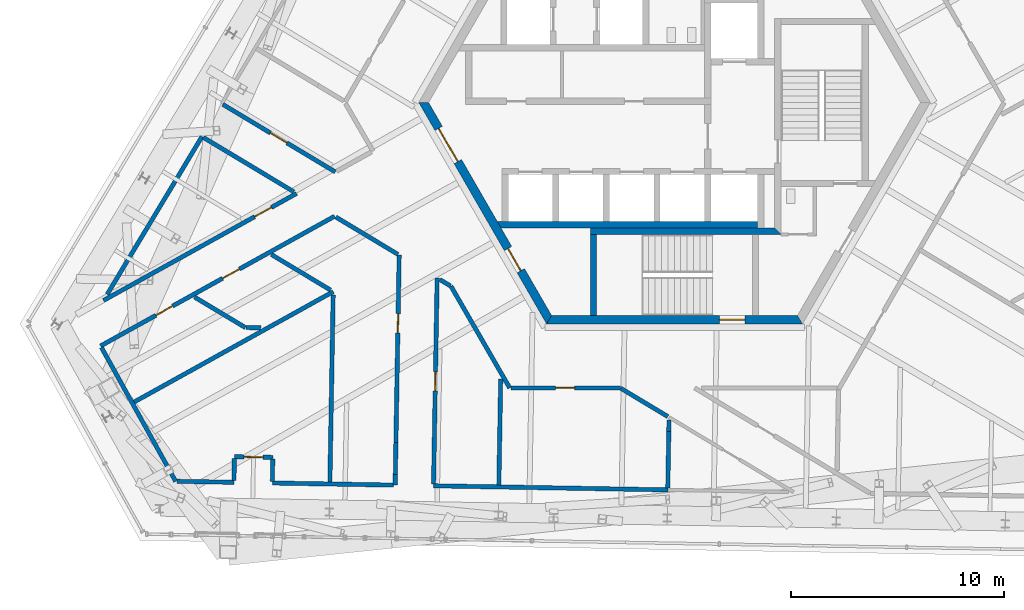
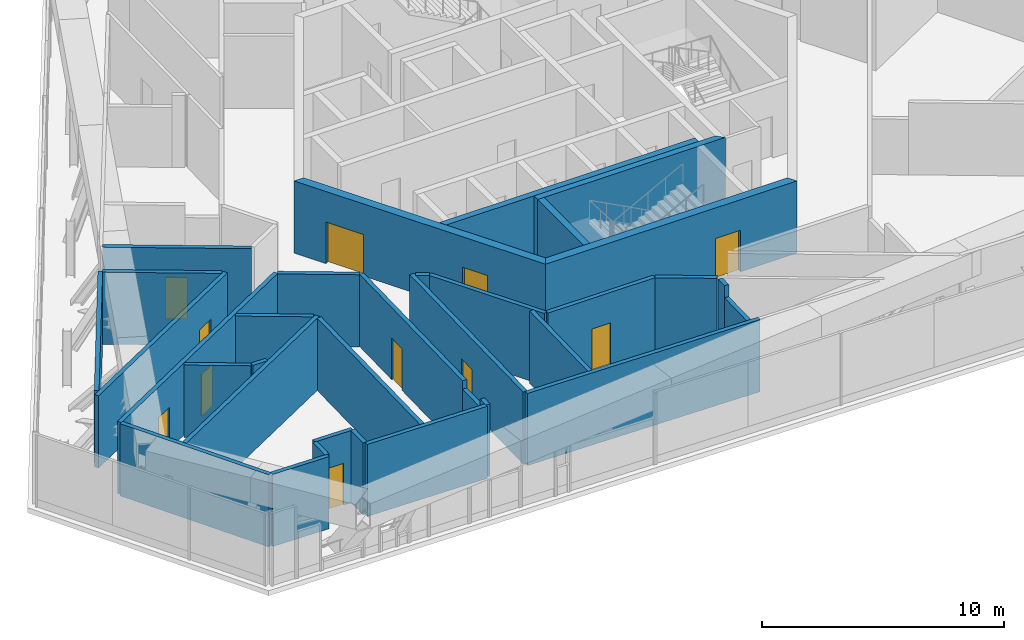
# One storey, part 15 of 28: 34 walls, 11 doors, 11 openings.
"""IFC4 building model written with IfcOpenShell, lengths in metres."""

from ifc_helpers import new_model, si_unit, direction, frame, frame_2d, origin, place, context, subcontext, project, spatial, polyline, rectangle, outline, extrude, source, transform, mapped, material, layer, layer_set, type_object, element, fill, save


model = new_model("IFC4")

# Units and contexts
model_context = context("Model", 3, precision=1e-05, world=origin(), true_north=direction((0.0, 1.0)))
body_context = subcontext(model_context, "Body", "Model", "MODEL_VIEW")
ifc_project = project(units=[si_unit("LENGTHUNIT", "METRE"), si_unit("AREAUNIT", "SQUARE_METRE"), si_unit("VOLUMEUNIT", "CUBIC_METRE"), si_unit("PLANEANGLEUNIT", "RADIAN"), si_unit("MASSUNIT", "GRAM", prefix="KILO")], contexts=[model_context])

# Site, building, storey
site_placement = place(None, origin())
site = spatial("IfcSite", under=ifc_project, at=site_placement, CompositionType="ELEMENT")
building_placement = place(site_placement, origin())
building = spatial("IfcBuilding", under=site, at=building_placement, Name="Triune Harvest Tower", CompositionType="ELEMENT")
storey_placement = place(building_placement, frame((0.0, 0.0, 215.89990234375)))
storey = spatial("IfcBuildingStorey", under=building, at=storey_placement, Name="L56", CompositionType="ELEMENT", Elevation=215.89990234375)

# Walls
ifc_material_1 = material(Name="Gypsum board on steel studs", Category="steel")
ifc_layer_1 = layer(ifc_material_1, 0.199951171875)
ifc_layer_set_1 = layer_set([ifc_layer_1], Name="Gypsum board on steel studs")
wall_type_1 = type_object("IfcWallType", Name="Fire Wall 200 mm", PredefinedType="PARTITIONING", material=ifc_layer_set_1)
wall_1_placement = place(storey_placement, frame((-26.885009765625, -11.4912109375, 0.0), z_axis=(0.0, 0.0, 1.0), x_axis=(0.484822840042, -0.874612379157, 0.0)))
element("IfcWall", 1, at=wall_1_placement, inside=storey, type_object=wall_type_1, Name="Partition L56 001", PredefinedType="PARTITIONING", context=body_context, shape_type="SweptSolid", body=[
    extrude(rectangle(XDim=7.180419921875, YDim=0.199951171875, at=frame_2d((3.59033203125, 0.0))), origin(), (0.0, 0.0, 1.0), 3.64013671875),
])
wall_2_placement = place(storey_placement, frame((-10.486572265625, -8.621337890625, 0.0), z_axis=(0.0, 0.0, 1.0), x_axis=(0.499994804925, -0.866028403142, 0.0)))
element("IfcWall", 2, at=wall_2_placement, inside=storey, type_object=wall_type_1, Name="Partition L56 007", PredefinedType="PARTITIONING", context=body_context, shape_type="SweptSolid", body=[
    extrude(rectangle(XDim=5.50927734375, YDim=0.199951171875, at=frame_2d((2.754638671875, 0.0))), origin(), (0.0, 0.0, 1.0), 3.64013671875),
])
wall_3_placement = place(storey_placement, frame((-22.51806640625, -9.127685546875, 0.0), z_axis=(0.0, 0.0, 1.0), x_axis=(0.857104851839, -0.515141993003, 0.0)))
element("IfcWall", 3, at=wall_3_placement, inside=storey, type_object=wall_type_1, Name="Partition L56 010", PredefinedType="PARTITIONING", context=body_context, shape_type="SweptSolid", body=[
    extrude(rectangle(XDim=2.77734375, YDim=0.199951171875, at=frame_2d((1.388671875, 0.0))), origin(), (0.0, 0.0, 1.0), 3.64013671875),
])
wall_4_placement = place(storey_placement, frame((-18.915283203125, -7.130859375, 0.0), z_axis=(0.0, 0.0, 1.0), x_axis=(0.85718001205, -0.515016919083, 0.0)))
element("IfcWall", 4, at=wall_4_placement, inside=storey, type_object=wall_type_1, Name="Partition L56 011", PredefinedType="PARTITIONING", context=body_context, shape_type="SweptSolid", body=[
    extrude(rectangle(XDim=3.2373046875, YDim=0.199951171875, at=frame_2d((1.61865234375, 0.0))), origin(), (0.0, 0.0, 1.0), 3.64013671875),
])
wall_5_placement = place(storey_placement, frame((-22.10009765625, -1.642822265625, 0.0), z_axis=(0.0, 0.0, 1.0), x_axis=(0.857166094505, -0.515040082353, 0.0)))
element("IfcWall", 5, at=wall_5_placement, inside=storey, type_object=wall_type_1, Name="Partition L56 012", PredefinedType="PARTITIONING", context=body_context, shape_type="SweptSolid", body=[
    extrude(rectangle(XDim=4.946044921875, YDim=0.199951171875, at=frame_2d((2.47314453125, 0.0))), origin(), (0.0, 0.0, 1.0), 3.64013671875),
])
wall_6_placement = place(storey_placement, frame((-15.889892578125, -5.37451171875, 0.0), z_axis=(0.0, 0.0, 1.0), x_axis=(0.857169377544, -0.515034618449, 0.0)))
element("IfcWall", 6, at=wall_6_placement, inside=storey, type_object=wall_type_1, Name="Partition L56 013", PredefinedType="PARTITIONING", context=body_context, shape_type="SweptSolid", body=[
    extrude(rectangle(XDim=3.3974609375, YDim=0.199951171875, at=frame_2d((1.69873046875, 0.0))), origin(), (0.0, 0.0, 1.0), 3.64013671875),
])
wall_7_placement = place(storey_placement, frame((-11.0068359375, -8.30859375, 0.0), z_axis=(0.0, 0.0, 1.0), x_axis=(0.857194566529, -0.514992694233, 0.0)))
element("IfcWall", 7, at=wall_7_placement, inside=storey, type_object=wall_type_1, Name="Partition L56 014", PredefinedType="PARTITIONING", context=body_context, shape_type="SweptSolid", body=[
    extrude(rectangle(XDim=0.577880859375, YDim=0.199951171875, at=frame_2d((0.2890625, 0.0))), origin(), (0.0, 0.0, 1.0), 3.64013671875),
])
wall_8_placement = place(storey_placement, frame((-2.520751953125, -13.407958984375, 0.0), z_axis=(0.0, 0.0, 1.0), x_axis=(0.857174624067, -0.515025886588, 0.0)))
element("IfcWall", 8, at=wall_8_placement, inside=storey, type_object=wall_type_1, Name="Partition L56 015", PredefinedType="PARTITIONING", context=body_context, shape_type="SweptSolid", body=[
    extrude(rectangle(XDim=2.572998046875, YDim=0.199951171875, at=frame_2d((1.28662109375, 0.0))), origin(), (0.0, 0.0, 1.0), 3.64013671875),
])

# Wall, opening, door
wall_9_placement = place(storey_placement, frame((-21.18994140625, -0.089599609375, 0.0), z_axis=(0.0, 0.0, 1.0), x_axis=(0.857153271956, -0.515061421944, 0.0)))
wall_9 = element("IfcWall", 9, at=wall_9_placement, inside=storey, type_object=wall_type_1, Name="Partition L56 017", PredefinedType="PARTITIONING", context=body_context, shape_type="SweptSolid", body=[
    extrude(rectangle(XDim=6.155517578125, YDim=0.199951171875, at=frame_2d((3.07763671875, 0.0))), origin(), (0.0, 0.0, 1.0), 3.64013671875),
])
opening_1_placement = place(wall_9_placement, frame((2.605712890625, 0.0, 0.0)))
opening_1 = element("IfcOpeningElement", 10, at=opening_1_placement, cuts=wall_9, Name="Opening L56-016", PredefinedType="OPENING", context=body_context, shape_type="SweptSolid", body=[
    extrude(rectangle(XDim=0.89990234375, YDim=2.10009765625, at=frame_2d((0.449951171875, 1.050048828125))), frame((0.0, 0.10986328125, 0.0), z_axis=(0.0, -1.0, 0.0), x_axis=(1.0, 0.0, 0.0)), (0.0, 0.0, 1.0), 0.219970703125),
])
ifc_material_2 = material(Name="Timber and steel door set", Category="steel")
door_type_1 = type_object("IfcDoorType", Name="Single leaf door FD60 right hand 900 x 2100", OperationType="SINGLE_SWING_RIGHT", PredefinedType="DOOR", material=ifc_material_2)
door_1_placement = place(opening_1_placement, origin())
door_1 = element("IfcDoor", 11, at=door_1_placement, inside=storey, type_object=door_type_1, Name="Door L56-016 Pump Room 56.16", OperationType="SINGLE_SWING_RIGHT", OverallHeight=2.10009765625, OverallWidth=0.89990234375, PredefinedType="DOOR", context=body_context, shape_type="SweptSolid", body=[
    extrude(rectangle(XDim=0.89990234375, YDim=2.10009765625, at=frame_2d((0.449951171875, 1.050048828125))), frame((0.0, 0.02490234375, 0.0), z_axis=(0.0, -1.0, 0.0), x_axis=(1.0, 0.0, 0.0)), (0.0, 0.0, 1.0), 0.050048828125),
])
fill(opening_1, door_1)

# Walls
wall_10_placement = place(storey_placement, frame((-18.868896484375, -17.8505859375, 0.0), z_axis=(0.0, 0.0, 1.0), x_axis=(0.99984790803, -0.017440206679, 0.0)))
element("IfcWall", 12, at=wall_10_placement, inside=storey, type_object=wall_type_1, Name="Partition L56 031", PredefinedType="PARTITIONING", context=body_context, shape_type="SweptSolid", body=[
    extrude(rectangle(XDim=5.68359375, YDim=0.199951171875, at=frame_2d((2.841796875, 0.0))), origin(), (0.0, 0.0, 1.0), 3.64013671875),
])
wall_11_placement = place(storey_placement, frame((-11.306640625, -17.982421875, 0.0), z_axis=(0.0, 0.0, 1.0), x_axis=(0.999847661945, -0.01745430899, 0.0)))
element("IfcWall", 13, at=wall_11_placement, inside=storey, type_object=wall_type_1, Name="Partition L56 032", PredefinedType="PARTITIONING", context=body_context, shape_type="SweptSolid", body=[
    extrude(rectangle(XDim=10.994140625, YDim=0.199951171875, at=frame_2d((5.4970703125, 0.0))), origin(), (0.0, 0.0, 1.0), 3.64013671875),
])
wall_12_placement = place(storey_placement, frame((-20.107666015625, -10.558837890625, 0.0), z_axis=(0.0, 0.0, 1.0), x_axis=(0.999852440564, -0.017178390458, 0.0)))
element("IfcWall", 14, at=wall_12_placement, inside=storey, type_object=wall_type_1, Name="Partition L56 036", PredefinedType="PARTITIONING", context=body_context, shape_type="SweptSolid", body=[
    extrude(rectangle(XDim=0.6962890625, YDim=0.199951171875, at=frame_2d((0.34814453125, 0.0))), origin(), (0.0, 0.0, 1.0), 3.64013671875),
])

# Wall, opening, door
wall_13_placement = place(storey_placement, frame((-7.662109375, -13.392333984375, 0.0), z_axis=(0.0, 0.0, 1.0), x_axis=(1.0, 0.0, 0.0)))
wall_13 = element("IfcWall", 15, at=wall_13_placement, inside=storey, type_object=wall_type_1, Name="Partition L56 038", PredefinedType="PARTITIONING", context=body_context, shape_type="SweptSolid", body=[
    extrude(rectangle(XDim=5.115966796875, YDim=0.199951171875, at=frame_2d((2.55810546875, 0.0))), origin(), (0.0, 0.0, 1.0), 3.64013671875),
])
opening_2_placement = place(wall_13_placement, frame((2.080078125, 0.0, 0.0)))
opening_2 = element("IfcOpeningElement", 16, at=opening_2_placement, cuts=wall_13, Name="Opening L56-022", PredefinedType="OPENING", context=body_context, shape_type="SweptSolid", body=[
    extrude(rectangle(XDim=0.89990234375, YDim=2.10009765625, at=frame_2d((0.449951171875, 1.050048828125))), frame((0.0, 0.10986328125, 0.0), z_axis=(0.0, -1.0, 0.0), x_axis=(1.0, 0.0, 0.0)), (0.0, 0.0, 1.0), 0.219970703125),
])
ifc_material_3 = material(Name="Timber and steel door set", Category="steel")
door_type_2 = type_object("IfcDoorType", Name="Single leaf door FD60 left hand 900 x 2100", OperationType="SINGLE_SWING_LEFT", PredefinedType="DOOR", material=ifc_material_3)
door_2_placement = place(opening_2_placement, origin())
door_2 = element("IfcDoor", 17, at=door_2_placement, inside=storey, type_object=door_type_2, Name="Door L56-022 Switchgear Plant Room 56.22", OperationType="SINGLE_SWING_LEFT", OverallHeight=2.10009765625, OverallWidth=0.89990234375, PredefinedType="DOOR", context=body_context, shape_type="SweptSolid", body=[
    extrude(rectangle(XDim=0.89990234375, YDim=2.10009765625, at=frame_2d((0.449951171875, 1.050048828125))), frame((0.0, 0.02490234375, 0.0), z_axis=(0.0, -1.0, 0.0), x_axis=(1.0, 0.0, 0.0)), (0.0, 0.0, 1.0), 0.050048828125),
])
fill(opening_2, door_2)

# Wall
wall_14_placement = place(storey_placement, frame((-25.4384765625, -14.100830078125, 0.0), z_axis=(0.0, 0.0, 1.0), x_axis=(0.874594990902, 0.484854206839, 0.0)))
element("IfcWall", 18, at=wall_14_placement, inside=storey, type_object=wall_type_1, Name="Partition L56 050", PredefinedType="PARTITIONING", context=body_context, shape_type="SweptSolid", body=[
    extrude(rectangle(XDim=10.778076171875, YDim=0.199951171875, at=frame_2d((5.38916015625, 0.0))), origin(), (0.0, 0.0, 1.0), 3.64013671875),
])

# Wall, openings, doors
wall_15_placement = place(storey_placement, frame((-26.923583984375, -11.42138671875, 0.0), z_axis=(0.0, 0.0, 1.0), x_axis=(0.874612143076, 0.484823265927, 0.0)))
wall_15 = element("IfcWall", 19, at=wall_15_placement, inside=storey, type_object=wall_type_1, Name="Partition L56 052", PredefinedType="PARTITIONING", context=body_context, shape_type="SweptSolid", body=[
    extrude(rectangle(XDim=12.546875, YDim=0.199951171875, at=frame_2d((6.2734375, 0.0))), origin(), (0.0, 0.0, 1.0), 3.64013671875),
])
opening_3_placement = place(wall_15_placement, frame((6.540283203125, 0.0, 0.0)))
opening_3 = element("IfcOpeningElement", 20, at=opening_3_placement, cuts=wall_15, Name="Opening L56-017", PredefinedType="OPENING", context=body_context, shape_type="SweptSolid", body=[
    extrude(rectangle(XDim=0.89990234375, YDim=2.10009765625, at=frame_2d((0.449951171875, 1.050048828125))), frame((0.0, 0.10986328125, 0.0), z_axis=(0.0, -1.0, 0.0), x_axis=(1.0, 0.0, 0.0)), (0.0, 0.0, 1.0), 0.219970703125),
])
opening_4_placement = place(wall_15_placement, frame((2.962890625, 0.0, 0.0)))
opening_4 = element("IfcOpeningElement", 21, at=opening_4_placement, cuts=wall_15, Name="Opening L56-018", PredefinedType="OPENING", context=body_context, shape_type="SweptSolid", body=[
    extrude(rectangle(XDim=0.89990234375, YDim=2.10009765625, at=frame_2d((0.449951171875, 1.050048828125))), frame((0.0, 0.10986328125, 0.0), z_axis=(0.0, -1.0, 0.0), x_axis=(1.0, 0.0, 0.0)), (0.0, 0.0, 1.0), 0.219970703125),
])
door_3_placement = place(opening_3_placement, origin())
door_3 = element("IfcDoor", 22, at=door_3_placement, inside=storey, type_object=door_type_2, Name="Door L56-017 Electrical Plant Room 56.17", OperationType="SINGLE_SWING_LEFT", OverallHeight=2.10009765625, OverallWidth=0.89990234375, PredefinedType="DOOR", context=body_context, shape_type="SweptSolid", body=[
    extrude(rectangle(XDim=0.89990234375, YDim=2.10009765625, at=frame_2d((0.449951171875, 1.050048828125))), frame((0.0, 0.02490234375, 0.0), z_axis=(0.0, -1.0, 0.0), x_axis=(1.0, 0.0, 0.0)), (0.0, 0.0, 1.0), 0.050048828125),
])
fill(opening_3, door_3)
door_4_placement = place(opening_4_placement, origin())
door_4 = element("IfcDoor", 23, at=door_4_placement, inside=storey, type_object=door_type_1, Name="Door L56-018 Plant room 56.18", OperationType="SINGLE_SWING_RIGHT", OverallHeight=2.10009765625, OverallWidth=0.89990234375, PredefinedType="DOOR", context=body_context, shape_type="SweptSolid", body=[
    extrude(rectangle(XDim=0.89990234375, YDim=2.10009765625, at=frame_2d((0.449951171875, 1.050048828125))), frame((0.0, 0.02490234375, 0.0), z_axis=(0.0, -1.0, 0.0), x_axis=(1.0, 0.0, 0.0)), (0.0, 0.0, 1.0), 0.050048828125),
])
fill(opening_4, door_4)

# Wall, opening, door
wall_16_placement = place(storey_placement, frame((-26.7861328125, -9.287353515625, 0.0), z_axis=(0.0, 0.0, 1.0), x_axis=(0.874611848526, 0.484823797289, 0.0)))
wall_16 = element("IfcWall", 24, at=wall_16_placement, inside=storey, type_object=wall_type_1, Name="Partition L56 054", PredefinedType="PARTITIONING", context=body_context, shape_type="SweptSolid", body=[
    extrude(rectangle(XDim=10.352783203125, YDim=0.199951171875, at=frame_2d((5.17626953125, 0.0))), origin(), (0.0, 0.0, 1.0), 3.64013671875),
])
opening_5_placement = place(wall_16_placement, frame((8.1025390625, 0.0, 0.0)))
opening_5 = element("IfcOpeningElement", 25, at=opening_5_placement, cuts=wall_16, Name="Opening L56-015", PredefinedType="OPENING", context=body_context, shape_type="SweptSolid", body=[
    extrude(rectangle(XDim=0.89990234375, YDim=2.10009765625, at=frame_2d((0.449951171875, 1.050048828125))), frame((0.0, 0.10986328125, 0.0), z_axis=(0.0, -1.0, 0.0), x_axis=(1.0, 0.0, 0.0)), (0.0, 0.0, 1.0), 0.219970703125),
])
door_5_placement = place(opening_5_placement, origin())
door_5 = element("IfcDoor", 26, at=door_5_placement, inside=storey, type_object=door_type_1, Name="Door L56-015 Switch Room 56.15", OperationType="SINGLE_SWING_RIGHT", OverallHeight=2.10009765625, OverallWidth=0.89990234375, PredefinedType="DOOR", context=body_context, shape_type="SweptSolid", body=[
    extrude(rectangle(XDim=0.89990234375, YDim=2.10009765625, at=frame_2d((0.449951171875, 1.050048828125))), frame((0.0, 0.02490234375, 0.0), z_axis=(0.0, -1.0, 0.0), x_axis=(1.0, 0.0, 0.0)), (0.0, 0.0, 1.0), 0.050048828125),
])
fill(opening_5, door_5)

# Walls
wall_17_placement = place(storey_placement, frame((-26.6162109375, -9.004638671875, 0.0), z_axis=(0.0, 0.0, 1.0), x_axis=(0.515023642524, 0.857175972389, 0.0)))
element("IfcWall", 27, at=wall_17_placement, inside=storey, type_object=wall_type_1, Name="Partition L56 061", PredefinedType="PARTITIONING", context=body_context, shape_type="SweptSolid", body=[
    extrude(rectangle(XDim=8.635986328125, YDim=0.199951171875, at=frame_2d((4.31787109375, 0.0))), origin(), (0.0, 0.0, 1.0), 3.64013671875),
])
wall_18_placement = place(storey_placement, frame((-0.315673828125, -18.09423828125, 0.0), z_axis=(0.0, 0.0, 1.0), x_axis=(0.017409384584, 0.99984844518, 0.0)))
element("IfcWall", 28, at=wall_18_placement, inside=storey, type_object=wall_type_1, Name="Partition L56 072", PredefinedType="PARTITIONING", context=body_context, shape_type="SweptSolid", body=[
    extrude(rectangle(XDim=2.66455078125, YDim=0.199951171875, at=frame_2d((1.332275390625, 0.0))), origin(), (0.0, 0.0, 1.0), 3.02783203125),
])
wall_19_placement = place(storey_placement, frame((-0.269287109375, -15.43017578125, 0.0), z_axis=(0.0, 0.0, 1.0), x_axis=(0.017541160386, 0.99984614201, 0.0)))
element("IfcWall", 29, at=wall_19_placement, inside=storey, type_object=wall_type_1, Name="Partition L56 072a", PredefinedType="PARTITIONING", context=body_context, shape_type="SweptSolid", body=[
    extrude(rectangle(XDim=0.542724609375, YDim=0.199951171875, at=frame_2d((0.271484375, 0.0))), origin(), (0.0, 0.0, 1.0), 3.64013671875),
])
wall_20_placement = place(storey_placement, frame((-8.241943359375, -17.9560546875, 0.0), z_axis=(0.0, 0.0, 1.0), x_axis=(0.017474870627, 0.99984730279, 0.0)))
element("IfcWall", 30, at=wall_20_placement, inside=storey, type_object=wall_type_1, Name="Partition L56 074", PredefinedType="PARTITIONING", context=body_context, shape_type="SweptSolid", body=[
    extrude(rectangle(XDim=4.9736328125, YDim=0.199951171875, at=frame_2d((2.48681640625, 0.0))), origin(), (0.0, 0.0, 1.0), 3.64013671875),
])

# Wall, opening, door
wall_21_placement = place(storey_placement, frame((-11.304931640625, -17.902587890625, 0.0), z_axis=(0.0, 0.0, 1.0), x_axis=(0.017440234863, 0.999847907538, 0.0)))
wall_21 = element("IfcWall", 31, at=wall_21_placement, inside=storey, type_object=wall_type_1, Name="Partition L56 076", PredefinedType="PARTITIONING", context=body_context, shape_type="SweptSolid", body=[
    extrude(rectangle(XDim=9.673095703125, YDim=0.199951171875, at=frame_2d((4.83642578125, 0.0))), origin(), (0.0, 0.0, 1.0), 3.64013671875),
])
opening_6_placement = place(wall_21_placement, frame((4.3701171875, 0.0, 0.0)))
opening_6 = element("IfcOpeningElement", 32, at=opening_6_placement, cuts=wall_21, Name="Opening L56-021", PredefinedType="OPENING", context=body_context, shape_type="SweptSolid", body=[
    extrude(rectangle(XDim=0.89990234375, YDim=2.10009765625, at=frame_2d((0.449951171875, 1.050048828125))), frame((0.0, 0.10986328125, 0.0), z_axis=(0.0, -1.0, 0.0), x_axis=(1.0, 0.0, 0.0)), (0.0, 0.0, 1.0), 0.219970703125),
])
door_6_placement = place(opening_6_placement, origin())
door_6 = element("IfcDoor", 33, at=door_6_placement, inside=storey, type_object=door_type_2, Name="Door L56-021 Switch Room 56.21", OperationType="SINGLE_SWING_LEFT", OverallHeight=2.10009765625, OverallWidth=0.89990234375, PredefinedType="DOOR", context=body_context, shape_type="SweptSolid", body=[
    extrude(rectangle(XDim=0.89990234375, YDim=2.10009765625, at=frame_2d((0.449951171875, 1.050048828125))), frame((0.0, 0.02490234375, 0.0), z_axis=(0.0, -1.0, 0.0), x_axis=(1.0, 0.0, 0.0)), (0.0, 0.0, 1.0), 0.050048828125),
])
fill(opening_6, door_6)

# Walls
wall_22_placement = place(storey_placement, frame((-13.10595703125, -17.951416015625, 0.0), z_axis=(0.0, 0.0, 1.0), x_axis=(0.01728990521, 0.999850518417, 0.0)))
element("IfcWall", 34, at=wall_22_placement, inside=storey, type_object=wall_type_1, Name="Partition L56 079", PredefinedType="PARTITIONING", context=body_context, shape_type="SweptSolid", body=[
    extrude(rectangle(XDim=0.494140625, YDim=0.199951171875, at=frame_2d((0.2470703125, 0.0))), origin(), (0.0, 0.0, 1.0), 3.64013671875),
])
wall_23_placement = place(storey_placement, frame((-13.097412109375, -17.457275390625, 0.0), z_axis=(0.0, 0.0, 1.0), x_axis=(0.017381614189, 0.999848928333, 0.0)))
element("IfcWall", 35, at=wall_23_placement, inside=storey, type_object=wall_type_1, Name="Partition L56 079a", PredefinedType="PARTITIONING", context=body_context, shape_type="SweptSolid", body=[
    extrude(rectangle(XDim=1.5029296875, YDim=0.199951171875, at=frame_2d((0.75146484375, 0.0))), origin(), (0.0, 0.0, 1.0), 3.223388671875),
])

# Wall, opening, door
wall_24_placement = place(storey_placement, frame((-13.0712890625, -15.95458984375, 0.0), z_axis=(0.0, 0.0, 1.0), x_axis=(0.017459858923, 0.999847565045, 0.0)))
wall_24 = element("IfcWall", 36, at=wall_24_placement, inside=storey, type_object=wall_type_1, Name="Partition L56 079b", PredefinedType="PARTITIONING", context=body_context, shape_type="SweptSolid", body=[
    extrude(rectangle(XDim=8.795166015625, YDim=0.199951171875, at=frame_2d((4.3974609375, 0.0))), origin(), (0.0, 0.0, 1.0), 3.64013671875),
])
opening_7_placement = place(wall_24_placement, frame((5.1455078125, 0.0, 0.0)))
opening_7 = element("IfcOpeningElement", 37, at=opening_7_placement, cuts=wall_24, Name="Opening L56-020", PredefinedType="OPENING", context=body_context, shape_type="SweptSolid", body=[
    extrude(rectangle(XDim=0.89990234375, YDim=2.10009765625, at=frame_2d((0.449951171875, 1.050048828125))), frame((0.0, 0.10986328125, 0.0), z_axis=(0.0, -1.0, 0.0), x_axis=(1.0, 0.0, 0.0)), (0.0, 0.0, 1.0), 0.219970703125),
])
door_7_placement = place(opening_7_placement, origin())
door_7 = element("IfcDoor", 38, at=door_7_placement, inside=storey, type_object=door_type_1, Name="Door L56-020 Pump Room 56.20", OperationType="SINGLE_SWING_RIGHT", OverallHeight=2.10009765625, OverallWidth=0.89990234375, PredefinedType="DOOR", context=body_context, shape_type="SweptSolid", body=[
    extrude(rectangle(XDim=0.89990234375, YDim=2.10009765625, at=frame_2d((0.449951171875, 1.050048828125))), frame((0.0, 0.02490234375, 0.0), z_axis=(0.0, -1.0, 0.0), x_axis=(1.0, 0.0, 0.0)), (0.0, 0.0, 1.0), 0.050048828125),
])
fill(opening_7, door_7)

# Wall, openings, doors
ifc_material_4 = material(Name="Concrete 70 MPa", Category="concrete")
ifc_layer_2 = layer(ifc_material_4, 0.39990234375)
ifc_layer_set_2 = layer_set([ifc_layer_2], Name="Concrete 70 MPa")
wall_type_2 = type_object("IfcWallType", Name="Core wall 400", PredefinedType="SHEAR", material=ifc_layer_set_2)
shared_shape_1 = source(origin(), body_context, "Body", "SweptSolid", [
    extrude(outline(polyline([(-0.115478515625, -0.199951171875), (11.884521484375, -0.199951171875), (11.653564453125, 0.199951171875), (0.115478515625, 0.199951171875), (-0.115478515625, -0.199951171875)])), origin(), (0.0, 0.0, 1.0), 3.64013671875),
])
wall_25_placement = place(storey_placement, frame((-11.76904296875, 0.0, 0.0), z_axis=(0.0, 0.0, 1.0), x_axis=(0.499996592174, -0.866027371285, 0.0)))
wall_25 = element("IfcWall", 39, at=wall_25_placement, inside=storey, type_object=wall_type_2, Name="Hexagon 3 wall", PredefinedType="SHEAR", context=body_context, shape_type="MappedRepresentation", body=[
    mapped(shared_shape_1, transform((0.0, 0.0, 0.0), scale=1.0)),
])
opening_8_placement = place(wall_25_placement, frame((1.404541015625, 0.0, 0.0)))
opening_8 = element("IfcOpeningElement", 40, at=opening_8_placement, cuts=wall_25, Name="Opening CD-LS", PredefinedType="OPENING", context=body_context, shape_type="SweptSolid", body=[
    extrude(rectangle(XDim=1.800048828125, YDim=2.10009765625, at=frame_2d((0.89990234375, 1.050048828125))), frame((0.0, 0.2099609375, 0.0), z_axis=(0.0, -1.0, 0.0), x_axis=(1.0, 0.0, 0.0)), (0.0, 0.0, 1.0), 0.419921875),
])
opening_9_placement = place(wall_25_placement, frame((7.91455078125, 0.0, 0.0)))
opening_9 = element("IfcOpeningElement", 41, at=opening_9_placement, cuts=wall_25, Name="Opening CD-SWP", PredefinedType="OPENING", context=body_context, shape_type="SweptSolid", body=[
    extrude(rectangle(XDim=1.199951171875, YDim=2.10009765625, at=frame_2d((0.60009765625, 1.050048828125))), frame((0.0, 0.2099609375, 0.0), z_axis=(0.0, -1.0, 0.0), x_axis=(1.0, 0.0, 0.0)), (0.0, 0.0, 1.0), 0.419921875),
])
ifc_material_5 = material(Name="Steel S235", Category="steel")
door_type_3 = type_object("IfcDoorType", Name="Lobby door 1800 FD120", OperationType="DOUBLE_DOOR_DOUBLE_SWING", PredefinedType="DOOR", material=ifc_material_5)
door_8_placement = place(opening_8_placement, frame((1.800048828125, 0.0, 0.0), z_axis=(0.0, 0.0, 1.0), x_axis=(-1.0, 0.0, 0.0)))
door_8 = element("IfcDoor", 42, at=door_8_placement, inside=storey, type_object=door_type_3, Name="Door CD-LS", OperationType="DOUBLE_DOOR_DOUBLE_SWING", OverallHeight=2.10009765625, OverallWidth=1.800048828125, PredefinedType="DOOR", context=body_context, shape_type="SweptSolid", body=[
    extrude(rectangle(XDim=1.800048828125, YDim=2.10009765625, at=frame_2d((0.89990234375, 1.050048828125))), frame((0.0, 0.02490234375, 0.0), z_axis=(0.0, -1.0, 0.0), x_axis=(1.0, 0.0, 0.0)), (0.0, 0.0, 1.0), 0.050048828125),
])
fill(opening_8, door_8)
ifc_material_6 = material(Name="Steel S235", Category="steel")
door_type_4 = type_object("IfcDoorType", Name="Service door 1200 FD120", OperationType="SINGLE_SWING_LEFT", PredefinedType="DOOR", material=ifc_material_6)
door_9_placement = place(opening_9_placement, frame((1.199951171875, 0.0, 0.0), z_axis=(0.0, 0.0, 1.0), x_axis=(-1.0, 0.0, 0.0)))
door_9 = element("IfcDoor", 43, at=door_9_placement, inside=storey, type_object=door_type_4, Name="Door CD-SWP", OperationType="SINGLE_SWING_RIGHT", OverallHeight=2.10009765625, OverallWidth=1.199951171875, PredefinedType="DOOR", context=body_context, shape_type="SweptSolid", body=[
    extrude(rectangle(XDim=1.199951171875, YDim=2.10009765625, at=frame_2d((0.60009765625, 1.050048828125))), frame((0.0, 0.02490234375, 0.0), z_axis=(0.0, -1.0, 0.0), x_axis=(1.0, 0.0, 0.0)), (0.0, 0.0, 1.0), 0.050048828125),
])
fill(opening_9, door_9)

# Wall, opening, door
wall_26_placement = place(storey_placement, frame((-5.884521484375, -10.1923828125, 0.0), z_axis=(0.0, 0.0, 1.0), x_axis=(1.0, 0.0, 0.0)))
wall_26 = element("IfcWall", 44, at=wall_26_placement, inside=storey, type_object=wall_type_2, Name="Hexagon 4 wall", PredefinedType="SHEAR", context=body_context, shape_type="MappedRepresentation", body=[
    mapped(shared_shape_1, transform((0.0, 0.0, 0.0), scale=1.0)),
])
opening_10_placement = place(wall_26_placement, frame((7.984619140625, 0.0, 0.0)))
opening_10 = element("IfcOpeningElement", 45, at=opening_10_placement, cuts=wall_26, Name="Opening CD-S2P", PredefinedType="OPENING", context=body_context, shape_type="SweptSolid", body=[
    extrude(rectangle(XDim=1.199951171875, YDim=2.10009765625, at=frame_2d((0.60009765625, 1.050048828125))), frame((0.0, 0.2099609375, 0.0), z_axis=(0.0, -1.0, 0.0), x_axis=(1.0, 0.0, 0.0)), (0.0, 0.0, 1.0), 0.419921875),
])
ifc_material_7 = material(Name="Steel S235", Category="steel")
door_type_5 = type_object("IfcDoorType", Name="Stair door 1200 FD120", OperationType="SINGLE_SWING_LEFT", PredefinedType="DOOR", material=ifc_material_7)
door_10_placement = place(opening_10_placement, frame((1.199951171875, 0.0, 0.0), z_axis=(0.0, 0.0, 1.0), x_axis=(-1.0, 0.0, 0.0)))
door_10 = element("IfcDoor", 46, at=door_10_placement, inside=storey, type_object=door_type_5, Name="Door CD-S2P", OperationType="SINGLE_SWING_RIGHT", OverallHeight=2.10009765625, OverallWidth=1.199951171875, PredefinedType="DOOR", context=body_context, shape_type="SweptSolid", body=[
    extrude(rectangle(XDim=1.199951171875, YDim=2.10009765625, at=frame_2d((0.60009765625, 1.050048828125))), frame((0.0, 0.02490234375, 0.0), z_axis=(0.0, -1.0, 0.0), x_axis=(1.0, 0.0, 0.0)), (0.0, 0.0, 1.0), 0.050048828125),
])
fill(opening_10, door_10)

# Walls
ifc_material_8 = material(Name="Concrete 70 MPa", Category="concrete")
ifc_layer_3 = layer(ifc_material_8, 0.300048828125)
ifc_layer_set_3 = layer_set([ifc_layer_3], Name="Concrete 70 MPa")
wall_type_3 = type_object("IfcWallType", Name="Core wall 300", PredefinedType="SHEAR", material=ifc_layer_set_3)
shared_shape_2 = source(origin(), body_context, "Body", "SweptSolid", [
    extrude(outline(polyline([(12.0, -0.14990234375), (-0.039794921875, -0.14990234375), (-0.212890625, 0.14990234375), (12.0, 0.14990234375), (12.0, -0.14990234375)])), origin(), (0.0, 0.0, 1.0), 3.64013671875),
])
wall_27_placement = place(storey_placement, frame((-8.10009765625, -5.739990234375, 0.0), z_axis=(0.0, 0.0, 1.0), x_axis=(1.0, 0.0, 0.0)))
element("IfcWall", 47, at=wall_27_placement, inside=storey, type_object=wall_type_3, Name="South back wall", PredefinedType="SHEAR", context=body_context, shape_type="MappedRepresentation", body=[
    mapped(shared_shape_2, transform((0.0, 0.0, 0.0), scale=1.0)),
])
shared_shape_3 = source(origin(), body_context, "Body", "SweptSolid", [
    extrude(outline(polyline([(0.0, -0.14990234375), (8.949951171875, -0.14990234375), (8.64990234375, 0.14990234375), (0.0, 0.14990234375), (0.0, -0.14990234375)])), origin(), (0.0, 0.0, 1.0), 3.64013671875),
])
wall_28_placement = place(storey_placement, frame((-3.949951171875, -6.0400390625, 0.0), z_axis=(0.0, 0.0, 1.0), x_axis=(1.0, 0.0, 0.0)))
element("IfcWall", 48, at=wall_28_placement, inside=storey, type_object=wall_type_3, Name="Stair s north wall", PredefinedType="SHEAR", context=body_context, shape_type="MappedRepresentation", body=[
    mapped(shared_shape_3, transform((0.0, 0.0, 0.0), scale=1.0)),
])
shared_shape_4 = source(origin(), body_context, "Body", "SweptSolid", [
    extrude(outline(polyline([(3.800048828125, -0.14990234375), (-0.00439453125, -0.14990234375), (-0.00439453125, 0.14990234375), (3.800048828125, 0.14990234375), (3.800048828125, -0.14990234375)])), origin(), (0.0, 0.0, 1.0), 3.64013671875),
])
wall_29_placement = place(storey_placement, frame((-3.800048828125, -9.989990234375, 0.0), z_axis=(0.0, 0.0, 1.0), x_axis=(0.0, 1.0, 0.0)))
element("IfcWall", 49, at=wall_29_placement, inside=storey, type_object=wall_type_3, Name="Stair s west wall", PredefinedType="SHEAR", context=body_context, shape_type="MappedRepresentation", body=[
    mapped(shared_shape_4, transform((0.0, 0.0, 0.0), scale=1.0)),
])
shared_shape_5 = source(origin(), body_context, "Body", "SweptSolid", [
    extrude(rectangle(XDim=1.0400390625, YDim=0.199951171875, at=frame_2d((0.52001953125, 0.0))), origin(), (0.0, 0.0, 1.0), 3.64013671875),
])
for number, where, z_axis, x_axis, name in (
    (50, (-18.867431640625, -17.7705078125, 0.0), (0.0, 0.0, 1.0), (0.017372348583, 0.999849089365, 0.0), "Partition L56 083"),
    (51, (-20.667236328125, -17.739013671875, 0.0), (0.0, 0.0, 1.0), (0.017372348583, 0.999849089365, 0.0), "Partition L56 084"),
):
    element("IfcWall", number, at=place(storey_placement, frame(where, z_axis=z_axis, x_axis=x_axis)), inside=storey, type_object=wall_type_1, Name=name, PredefinedType="PARTITIONING", context=body_context, shape_type="MappedRepresentation", body=[
        mapped(shared_shape_5, transform((0.0, 0.0, 0.0), scale=1.0)),
    ])
shared_shape_6 = source(origin(), body_context, "Body", "SweptSolid", [
    extrude(rectangle(XDim=8.873779296875, YDim=0.199951171875, at=frame_2d((4.43701171875, 0.0))), origin(), (0.0, 0.0, 1.0), 3.64013671875),
])
wall_30_placement = place(storey_placement, frame((-16.169189453125, -17.897705078125, 0.0), z_axis=(0.0, 0.0, 1.0), x_axis=(0.01744320576, 0.999847855712, 0.0)))
element("IfcWall", 52, at=wall_30_placement, inside=storey, type_object=wall_type_1, Name="Partition L56 082", PredefinedType="PARTITIONING", context=body_context, shape_type="MappedRepresentation", body=[
    mapped(shared_shape_6, transform((0.0, 0.0, 0.0), scale=1.0)),
])
shared_shape_7 = source(origin(), body_context, "Body", "SweptSolid", [
    extrude(rectangle(XDim=2.665771484375, YDim=0.199951171875, at=frame_2d((1.3330078125, 0.0))), origin(), (0.0, 0.0, 1.0), 3.64013671875),
])
wall_31_placement = place(storey_placement, frame((-23.33349609375, -17.7724609375, 0.0), z_axis=(0.0, 0.0, 1.0), x_axis=(0.99984698626, -0.017492971913, 0.0)))
element("IfcWall", 53, at=wall_31_placement, inside=storey, type_object=wall_type_1, Name="Partition L56 030", PredefinedType="PARTITIONING", context=body_context, shape_type="MappedRepresentation", body=[
    mapped(shared_shape_7, transform((0.0, 0.0, 0.0), scale=1.0)),
])

# Wall, opening, door
shared_shape_8 = source(origin(), body_context, "Body", "SweptSolid", [
    extrude(rectangle(XDim=1.800048828125, YDim=0.199951171875, at=frame_2d((0.89990234375, 0.0))), origin(), (0.0, 0.0, 1.0), 3.64013671875),
])
wall_32_placement = place(storey_placement, frame((-20.647705078125, -16.619140625, 0.0), z_axis=(0.0, 0.0, 1.0), x_axis=(0.999846933889, -0.017495965067, 0.0)))
wall_32 = element("IfcWall", 54, at=wall_32_placement, inside=storey, type_object=wall_type_1, Name="Partition L56 035", PredefinedType="PARTITIONING", context=body_context, shape_type="MappedRepresentation", body=[
    mapped(shared_shape_8, transform((0.0, 0.0, 0.0), scale=1.0)),
])
opening_11_placement = place(wall_32_placement, frame((0.4501953125, 0.0, 0.0)))
opening_11 = element("IfcOpeningElement", 55, at=opening_11_placement, cuts=wall_32, Name="Opening L56-019", PredefinedType="OPENING", context=body_context, shape_type="SweptSolid", body=[
    extrude(rectangle(XDim=0.89990234375, YDim=2.10009765625, at=frame_2d((0.449951171875, 1.050048828125))), frame((0.0, 0.10986328125, 0.0), z_axis=(0.0, -1.0, 0.0), x_axis=(1.0, 0.0, 0.0)), (0.0, 0.0, 1.0), 0.219970703125),
])
door_11_placement = place(opening_11_placement, origin())
door_11 = element("IfcDoor", 56, at=door_11_placement, inside=storey, type_object=door_type_1, Name="Door L56-019 Air Handling Plant Room 56.19", OperationType="SINGLE_SWING_RIGHT", OverallHeight=2.10009765625, OverallWidth=0.89990234375, PredefinedType="DOOR", context=body_context, shape_type="SweptSolid", body=[
    extrude(rectangle(XDim=0.89990234375, YDim=2.10009765625, at=frame_2d((0.449951171875, 1.050048828125))), frame((0.0, 0.02490234375, 0.0), z_axis=(0.0, -1.0, 0.0), x_axis=(1.0, 0.0, 0.0)), (0.0, 0.0, 1.0), 0.050048828125),
])
fill(opening_11, door_11)

save(model, "model.ifc")
